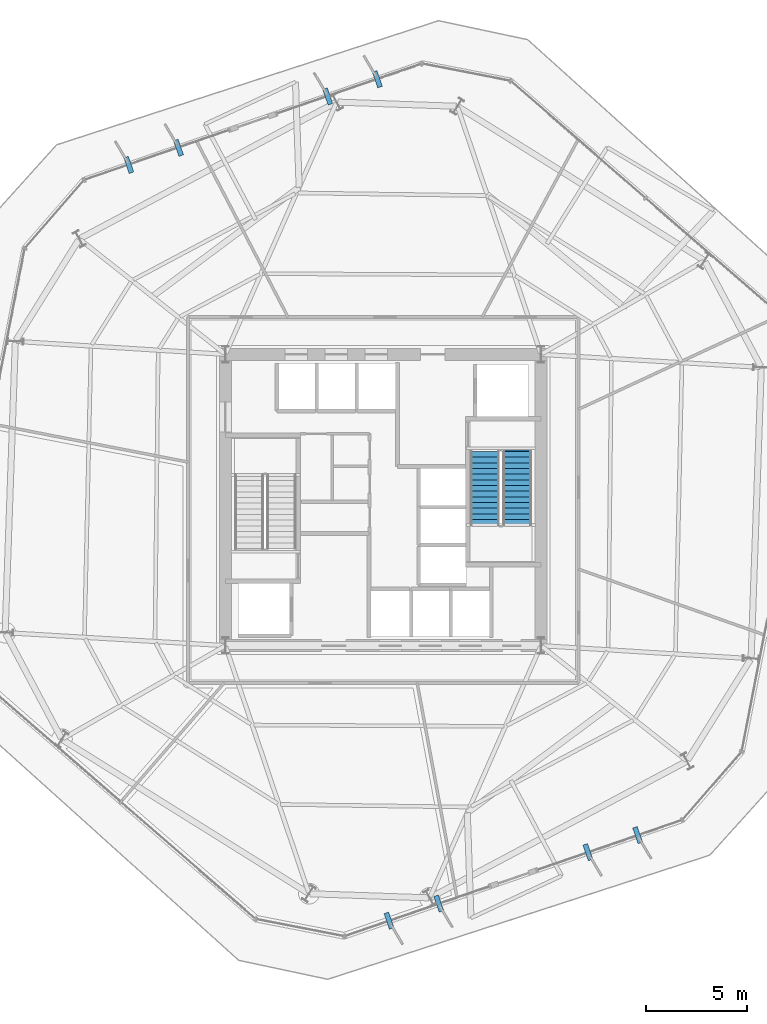
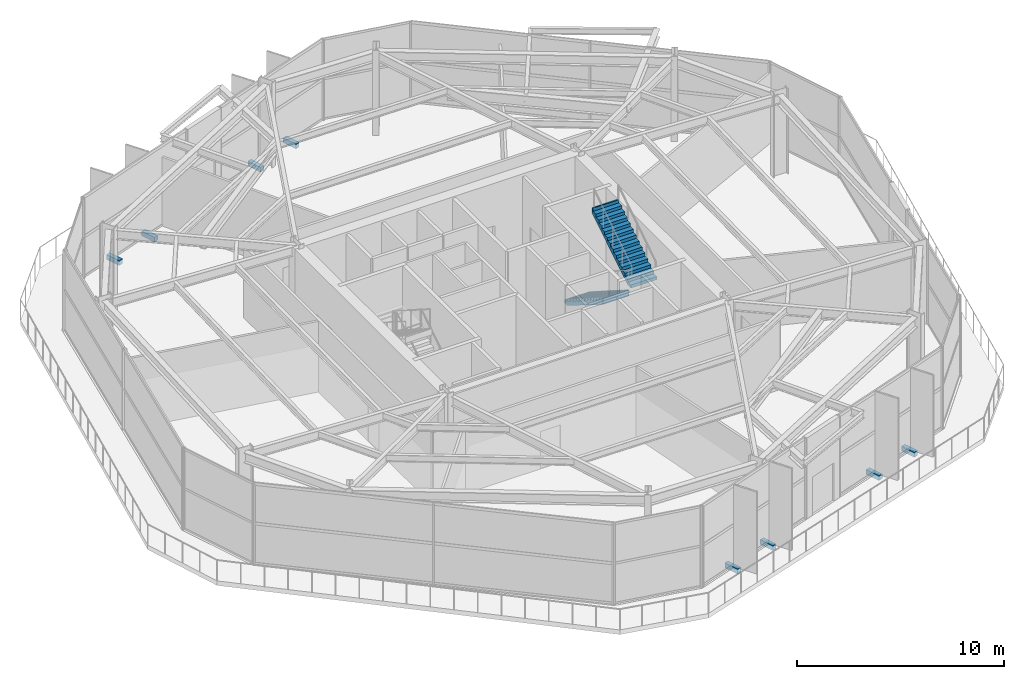
# One storey, part 11 of 16: 8 discrete accessories, 2 stair flights, 1 element without a shape of its own.
"""IFC4 building model written with IfcOpenShell, lengths in metres."""

from ifc_helpers import new_model, si_unit, direction, frame, origin, origin_2d, place, context, subcontext, project, spatial, polyline, rectangle, outline, extrude, material, type_object, element, aggregate, save


model = new_model("IFC4")

# Units and contexts
model_context = context("Model", 3, precision=1e-05, world=origin(), true_north=direction((0.0, 1.0)))
body_context = subcontext(model_context, "Body", "Model", "MODEL_VIEW")
ifc_project = project(units=[si_unit("LENGTHUNIT", "METRE"), si_unit("AREAUNIT", "SQUARE_METRE"), si_unit("VOLUMEUNIT", "CUBIC_METRE"), si_unit("PLANEANGLEUNIT", "RADIAN"), si_unit("MASSUNIT", "GRAM", prefix="KILO")], contexts=[model_context])

# Site, building, storey
site_placement = place(None, origin())
site = spatial("IfcSite", under=ifc_project, at=site_placement, CompositionType="ELEMENT")
building_placement = place(site_placement, origin())
building = spatial("IfcBuilding", under=site, at=building_placement, Name="Kranzbogen Civic Tower", CompositionType="ELEMENT")
storey_placement = place(building_placement, frame((0.0, 0.0, 97.39990234375)))
storey = spatial("IfcBuildingStorey", under=building, at=storey_placement, Name="L23", CompositionType="ELEMENT", Elevation=97.39990234375)

# Stair, stair flights
ifc_material_1 = material(Name="Precast concrete C40/50", Category="concrete")
stair_type = type_object("IfcStairType", Name="Tower Core Secondary Dogleg Stair 1450", PredefinedType="HALF_TURN_STAIR", material=ifc_material_1)
stair_placement = place(storey_placement, origin())
stair = element("IfcStair", 1, at=stair_placement, inside=storey, type_object=stair_type, Name="L23 Tower Core Pressurized Stair 2", PredefinedType="HALF_TURN_STAIR")
stair_flight_type = type_object("IfcStairFlightType", Name="Precast Concrete Stair Flight R179", PredefinedType="STRAIGHT", material=ifc_material_1)
stair_flight_1_placement = place(storey_placement, frame((30.02490234375, 27.39990234375, 0.0), z_axis=(0.0, 0.0, 1.0), x_axis=(0.0, -1.0, 0.0)))
stair_flight_1 = element("IfcStairFlight", 2, at=stair_flight_1_placement, type_object=stair_flight_type, Name="ST-T2 flight 1", NumberOfRisers=14, NumberOfTreads=13, PredefinedType="STRAIGHT", RiserHeight=0.178571429, TreadLength=0.28, context=body_context, shape_type="SweptSolid", body=[
    extrude(outline(polyline([(0.0, 0.0), (0.0, 0.178466796875), (0.280029296875, 0.178466796875), (0.280029296875, 0.357177734375), (0.56005859375, 0.357177734375), (0.56005859375, 0.53564453125), (0.840087890625, 0.53564453125), (0.840087890625, 0.71435546875), (1.1201171875, 0.71435546875), (1.1201171875, 0.892822265625), (1.39990234375, 0.892822265625), (1.39990234375, 1.071533203125), (1.679931640625, 1.071533203125), (1.679931640625, 1.25), (1.9599609375, 1.25), (1.9599609375, 1.428466796875), (2.239990234375, 1.428466796875), (2.239990234375, 1.607177734375), (2.52001953125, 1.607177734375), (2.52001953125, 1.78564453125), (2.800048828125, 1.78564453125), (2.800048828125, 1.96435546875), (3.080078125, 1.96435546875), (3.080078125, 2.142822265625), (3.360107421875, 2.142822265625), (3.360107421875, 2.321533203125), (3.639892578125, 2.321533203125), (3.639892578125, 2.5), (3.719970703125, 2.5), (3.719970703125, 2.1435546875), (0.27880859375, 0.0), (0.0, 0.0)])), frame((0.0, 0.72509765625, 0.0), z_axis=(0.0, -1.0, 0.0), x_axis=(1.0, 0.0, 0.0)), (0.0, 0.0, 1.0), 1.449951171875),
])
stair_flight_2_placement = place(storey_placement, frame((31.625, 23.760009765625, 2.5), z_axis=(0.0, 0.0, 1.0), x_axis=(0.0, 1.0, 0.0)))
stair_flight_2 = element("IfcStairFlight", 3, at=stair_flight_2_placement, type_object=stair_flight_type, Name="ST-T2 flight 2", NumberOfRisers=14, NumberOfTreads=13, PredefinedType="STRAIGHT", RiserHeight=0.178571429, TreadLength=0.28, context=body_context, shape_type="SweptSolid", body=[
    extrude(outline(polyline([(0.0, 0.0), (0.0, 0.178466796875), (0.280029296875, 0.178466796875), (0.280029296875, 0.357177734375), (0.56005859375, 0.357177734375), (0.56005859375, 0.53564453125), (0.840087890625, 0.53564453125), (0.840087890625, 0.71435546875), (1.1201171875, 0.71435546875), (1.1201171875, 0.892822265625), (1.39990234375, 0.892822265625), (1.39990234375, 1.071533203125), (1.679931640625, 1.071533203125), (1.679931640625, 1.25), (1.9599609375, 1.25), (1.9599609375, 1.428466796875), (2.239990234375, 1.428466796875), (2.239990234375, 1.607177734375), (2.52001953125, 1.607177734375), (2.52001953125, 1.78564453125), (2.800048828125, 1.78564453125), (2.800048828125, 1.96435546875), (3.080078125, 1.96435546875), (3.080078125, 2.142822265625), (3.360107421875, 2.142822265625), (3.360107421875, 2.321533203125), (3.639892578125, 2.321533203125), (3.639892578125, 2.5), (3.719970703125, 2.5), (3.719970703125, 2.1435546875), (0.27880859375, 0.0), (0.0, 0.0)])), frame((0.0, 0.72509765625, 0.0), z_axis=(0.0, -1.0, 0.0), x_axis=(1.0, 0.0, 0.0)), (0.0, 0.0, 1.0), 1.449951171875),
])
aggregate(stair, [stair_flight_1, stair_flight_2])

# Discrete accessories
ifc_material_2 = material(Name="Steel S355", Category="steel")
discrete_accessory_type = type_object("IfcDiscreteAccessoryType", Name="Structural Curtain-Wall Fin Support Bracket", PredefinedType="BRACKET", material=ifc_material_2)
for number, where, z_axis, x_axis, name in (
    (4, (24.7119140625, 45.800048828125, -0.25), (0.0, 0.0, 1.0), (-0.325568154457, 0.945518575599, 0.0), "L23 facade fin support bracket F2-1"),
    (5, (22.25390625, 44.952880859375, -0.25), (0.0, 0.0, 1.0), (-0.325568154457, 0.945518575599, 0.0), "L23 facade fin support bracket F2-2"),
    (6, (14.87890625, 42.4140625, -0.25), (0.0, 0.0, 1.0), (-0.325568154457, 0.945518575599, 0.0), "L23 facade fin support bracket F2-5"),
    (7, (12.4208984375, 41.56689453125, -0.25), (0.0, 0.0, 1.0), (-0.325568154457, 0.945518575599, 0.0), "L23 facade fin support bracket F2-6"),
    (8, (25.2880859375, 4.199951171875, -0.25), (0.0, 0.0, 1.0), (0.325568154457, -0.945518575599, 0.0), "L23 facade fin support bracket F5-1"),
    (9, (27.74609375, 5.047119140625, -0.25), (0.0, 0.0, 1.0), (0.325568154457, -0.945518575599, 0.0), "L23 facade fin support bracket F5-2"),
    (10, (35.12109375, 7.5859375, -0.25), (0.0, 0.0, 1.0), (0.325568154457, -0.945518575599, 0.0), "L23 facade fin support bracket F5-5"),
    (11, (37.5791015625, 8.43310546875, -0.25), (0.0, 0.0, 1.0), (0.325568154457, -0.945518575599, 0.0), "L23 facade fin support bracket F5-6"),
):
    element("IfcDiscreteAccessory", number, at=place(storey_placement, frame(where, z_axis=z_axis, x_axis=x_axis)), inside=storey, type_object=discrete_accessory_type, Name=name, PredefinedType="BRACKET", context=body_context, shape_type="SweptSolid", body=[
        extrude(rectangle(XDim=0.820068359375, YDim=0.239990234375, at=origin_2d()), origin(), (0.0, 0.0, 1.0), 0.280029296875),
    ])

save(model, "model.ifc")
